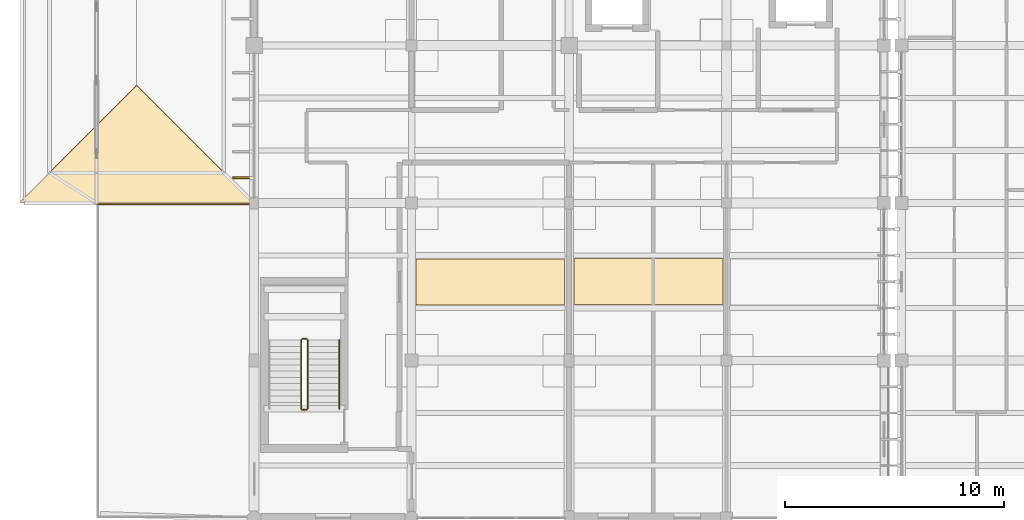
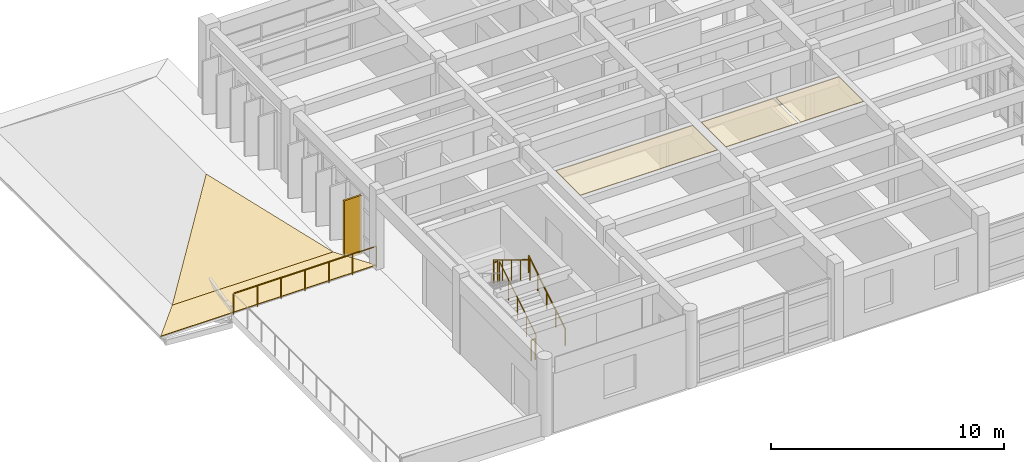
# One storey, part 92 of 100: 6 railings, 5 coverings, 1 shading device.
"""IFC4 building model written with IfcOpenShell, lengths in metres."""

from ifc_helpers import new_model, si_unit, direction, frame, origin, origin_2d, place, context, subcontext, project, spatial, polyline, rectangle, circle, outline, extrude, material, layer, layer_set, material_profile, profile_set, type_object, element, save


model = new_model("IFC4")

# Units and contexts
model_context = context("Model", 3, precision=1e-05, world=origin(), true_north=direction((0.0, 1.0)))
body_context = subcontext(model_context, "Body", "Model", "MODEL_VIEW")
ifc_project = project(units=[si_unit("LENGTHUNIT", "METRE"), si_unit("AREAUNIT", "SQUARE_METRE"), si_unit("VOLUMEUNIT", "CUBIC_METRE"), si_unit("PLANEANGLEUNIT", "RADIAN"), si_unit("MASSUNIT", "GRAM", prefix="KILO")], contexts=[model_context])

# Site, building, storey
site_placement = place(None, origin())
site = spatial("IfcSite", under=ifc_project, at=site_placement, CompositionType="ELEMENT")
building_placement = place(site_placement, origin())
building = spatial("IfcBuilding", under=site, at=building_placement, Name="Steenspoor Specialist Clinic", CompositionType="ELEMENT")
storey_placement = place(building_placement, frame((0.0, 0.0, 9.0)))
storey = spatial("IfcBuildingStorey", under=building, at=storey_placement, Name="L02", CompositionType="ELEMENT", Elevation=9.0)

# Coverings
ifc_material_1 = material(Name="Washable acoustic mineral ceiling board", Category="gypsum")
ifc_layer_1 = layer(ifc_material_1, 0.02490234375)
ifc_layer_set_1 = layer_set([ifc_layer_1], Name="Washable acoustic mineral ceiling board")
covering_type_1 = type_object("IfcCoveringType", Name="COV-CEIL-ACOUSTIC", PredefinedType="CEILING", material=ifc_layer_set_1)
covering_1_placement = place(storey_placement, frame((0.0, 0.0, 3.925048828125)))
element("IfcCovering", 1, at=covering_1_placement, inside=storey, type_object=covering_type_1, Name="Acoustic Clinical Ceiling 145", PredefinedType="CEILING", context=body_context, shape_type="SweptSolid", body=[
    extrude(outline(polyline([(30.195068359375, 74.889892578125), (30.195068359375, 77.0), (36.97998046875, 77.0), (36.97998046875, 74.889892578125), (30.195068359375, 74.889892578125)])), origin(), (0.0, 0.0, 1.0), 0.02490234375),
])
covering_2_placement = place(storey_placement, frame((0.0, 0.0, 3.925048828125)))
element("IfcCovering", 2, at=covering_2_placement, inside=storey, type_object=covering_type_1, Name="Acoustic Clinical Ceiling 146", PredefinedType="CEILING", context=body_context, shape_type="SweptSolid", body=[
    extrude(outline(polyline([(40.985107421875, 74.89990234375), (37.419921875, 74.89990234375), (37.419921875, 77.010009765625), (40.985107421875, 77.010009765625), (40.985107421875, 74.89990234375)])), origin(), (0.0, 0.0, 1.0), 0.02490234375),
])
covering_3_placement = place(storey_placement, frame((0.0, 0.0, 3.925048828125)))
element("IfcCovering", 3, at=covering_3_placement, inside=storey, type_object=covering_type_1, Name="Acoustic Clinical Ceiling 147", PredefinedType="CEILING", context=body_context, shape_type="SweptSolid", body=[
    extrude(outline(polyline([(41.114990234375, 77.010009765625), (44.22998046875, 77.010009765625), (44.22998046875, 74.89990234375), (41.114990234375, 74.89990234375), (41.114990234375, 77.010009765625)])), origin(), (0.0, 0.0, 1.0), 0.02490234375),
])
ifc_material_2 = material(Name="Extruded terracotta clay roof tile", Category="masonry")
ifc_layer_2 = layer(ifc_material_2, 0.044921875)
ifc_layer_set_2 = layer_set([ifc_layer_2], Name="Extruded terracotta clay roof tile")
covering_type_2 = type_object("IfcCoveringType", Name="COV-ROOF-TILE", PredefinedType="ROOFING", material=ifc_layer_set_2)
covering_4_placement = place(storey_placement, frame((12.10009765625, 79.580078125, 0.048095703125), z_axis=(0.0, -0.241833577284, 0.970317742236), x_axis=(1.0, 0.0, 0.0)))
element("IfcCovering", 4, at=covering_4_placement, inside=storey, type_object=covering_type_2, Name="Clay Tile Roofing V5T1 SKS", PredefinedType="ROOFING", context=body_context, shape_type="SweptSolid", body=[
    extrude(outline(polyline([(0.0, 0.0), (10.669921875, 0.0), (9.31982421875, 1.3911458658008673), (1.349853515625, 1.3911458658008673), (0.0, 0.0)])), origin(), (0.0, 0.0, -1.0), 0.044921875),
])
covering_5_placement = place(storey_placement, frame((13.449951171875, 80.929931640625, 0.384521484375), z_axis=(0.0, -0.609461920138, 0.792815342877), x_axis=(1.0, 0.0, 0.0)))
element("IfcCovering", 5, at=covering_5_placement, inside=storey, type_object=covering_type_2, Name="Clay Tile Roofing V5T1 S", PredefinedType="ROOFING", context=body_context, shape_type="SweptSolid", body=[
    extrude(outline(polyline([(0.0, 0.0), (7.969970703125, 0.0), (3.985107421875, 5.02652661515584), (0.0, 0.0)])), origin(), (0.0, 0.0, -1.0), 0.044921875),
])

# Railings
ifc_material_3 = material(Name="Galvanised architectural steel exterior guard", Category="steel")
railing_type_1 = type_object("IfcRailingType", Name="RAIL-EGUARD-1100", PredefinedType="GUARDRAIL", material=ifc_material_3)
railing_1_placement = place(storey_placement, frame((22.739990234375, 79.489990234375, 0.0)))
element("IfcRailing", 6, at=railing_1_placement, inside=storey, type_object=railing_type_1, Name="Terrace Perimeter Guard 17", PredefinedType="GUARDRAIL", context=body_context, shape_type="SweptSolid", body=[
    extrude(circle(Radius=0.02392578125, at=origin_2d()), frame((0.0, 0.0, 1.09619140625), z_axis=(-1.0, 0.0, 0.0), x_axis=(0.0, -1.0, 0.0)), (0.0, 0.0, 1.0), 7.080078125),
    extrude(circle(Radius=0.02099609375, at=origin_2d()), origin(), (0.0, 0.0, 1.0), 1.072021484375),
    extrude(circle(Radius=0.02099609375, at=origin_2d()), frame((-1.179931640625, 0.0, 0.0)), (0.0, 0.0, 1.0), 1.072021484375),
    extrude(circle(Radius=0.02099609375, at=origin_2d()), frame((-2.360107421875, 0.0, 0.0)), (0.0, 0.0, 1.0), 1.072021484375),
    extrude(circle(Radius=0.02099609375, at=origin_2d()), frame((-3.5400390625, 0.0, 0.0)), (0.0, 0.0, 1.0), 1.072021484375),
    extrude(circle(Radius=0.02099609375, at=origin_2d()), frame((-4.719970703125, 0.0, 0.0)), (0.0, 0.0, 1.0), 1.072021484375),
    extrude(circle(Radius=0.02099609375, at=origin_2d()), frame((-5.900146484375, 0.0, 0.0)), (0.0, 0.0, 1.0), 1.072021484375),
    extrude(circle(Radius=0.02099609375, at=origin_2d()), frame((-7.080078125, 0.0, 0.0)), (0.0, 0.0, 1.0), 1.072021484375),
])
ifc_material_4 = material(Name="Painted architectural steel balustrade", Category="steel")
railing_type_2 = type_object("IfcRailingType", Name="RAIL-GUARD-1100", PredefinedType="GUARDRAIL", material=ifc_material_4)
railing_2_placement = place(storey_placement, frame((25.25, 70.14990234375, 0.175048828125)))
element("IfcRailing", 7, at=railing_2_placement, inside=storey, type_object=railing_type_2, Name="L02 ST-V5B stair guard 1", PredefinedType="GUARDRAIL", context=body_context, shape_type="SweptSolid", body=[
    extrude(circle(Radius=0.02392578125, at=origin_2d()), frame((0.0, 0.0, 1.076171875), z_axis=(0.0, 0.852166034122, 0.523271488128), x_axis=(-1.0, 0.0, 0.0)), (0.0, 0.0, 1.0), 3.678955078125),
    extrude(circle(Radius=0.02099609375, at=origin_2d()), origin(), (0.0, 0.0, 1.0), 1.052001953125),
    extrude(circle(Radius=0.02099609375, at=origin_2d()), frame((0.0, 0.78369140625, 0.481201171875)), (0.0, 0.0, 1.0), 1.052001953125),
    extrude(circle(Radius=0.02099609375, at=origin_2d()), frame((0.0, 1.5673828125, 0.96240234375)), (0.0, 0.0, 1.0), 1.052001953125),
    extrude(circle(Radius=0.02099609375, at=origin_2d()), frame((0.0, 2.351318359375, 1.44384765625)), (0.0, 0.0, 1.0), 1.052001953125),
    extrude(circle(Radius=0.02099609375, at=origin_2d()), frame((0.0, 3.135009765625, 1.925048828125)), (0.0, 0.0, 1.0), 1.052001953125),
])
railing_3_placement = place(storey_placement, frame((25.199951171875, 73.3349609375, 2.10009765625)))
element("IfcRailing", 8, at=railing_3_placement, inside=storey, type_object=railing_type_2, Name="L02 ST-V5B stair guard 2", PredefinedType="GUARDRAIL", context=body_context, shape_type="SweptSolid", body=[
    extrude(circle(Radius=0.02392578125, at=origin_2d()), frame((0.0, 0.0, 1.076171875), z_axis=(-1.0, 0.0, 0.0), x_axis=(0.0, -1.0, 0.0)), (0.0, 0.0, 1.0), 0.199951171875),
    extrude(circle(Radius=0.02099609375, at=origin_2d()), origin(), (0.0, 0.0, 1.0), 1.052001953125),
    extrude(circle(Radius=0.02099609375, at=origin_2d()), frame((-0.199951171875, 0.0, 0.0)), (0.0, 0.0, 1.0), 1.052001953125),
])
railing_4_placement = place(storey_placement, frame((24.949951171875, 73.284912109375, 2.27490234375)))
element("IfcRailing", 9, at=railing_4_placement, inside=storey, type_object=railing_type_2, Name="L02 ST-V5B stair guard 3", PredefinedType="GUARDRAIL", context=body_context, shape_type="SweptSolid", body=[
    extrude(circle(Radius=0.02392578125, at=origin_2d()), frame((0.0, 0.0, 1.076171875), z_axis=(0.0, -0.852166034122, 0.523271488128), x_axis=(1.0, 0.0, 0.0)), (0.0, 0.0, 1.0), 3.678955078125),
    extrude(circle(Radius=0.02099609375, at=origin_2d()), origin(), (0.0, 0.0, 1.0), 1.052001953125),
    extrude(circle(Radius=0.02099609375, at=origin_2d()), frame((0.0, -0.78369140625, 0.481201171875)), (0.0, 0.0, 1.0), 1.052001953125),
    extrude(circle(Radius=0.02099609375, at=origin_2d()), frame((0.0, -1.5673828125, 0.96240234375)), (0.0, 0.0, 1.0), 1.052001953125),
    extrude(circle(Radius=0.02099609375, at=origin_2d()), frame((0.0, -2.351318359375, 1.44384765625)), (0.0, 0.0, 1.0), 1.052001953125),
    extrude(circle(Radius=0.02099609375, at=origin_2d()), frame((0.0, -3.135009765625, 1.925048828125)), (0.0, 0.0, 1.0), 1.052001953125),
])
railing_5_placement = place(storey_placement, frame((25.199951171875, 70.10009765625, 0.0)))
element("IfcRailing", 10, at=railing_5_placement, inside=storey, type_object=railing_type_2, Name="L02 ST-V5B stair guard 4", PredefinedType="GUARDRAIL", context=body_context, shape_type="SweptSolid", body=[
    extrude(circle(Radius=0.02392578125, at=origin_2d()), frame((0.0, 0.0, 1.076171875), z_axis=(-1.0, 0.0, 0.0), x_axis=(0.0, -1.0, 0.0)), (0.0, 0.0, 1.0), 0.199951171875),
    extrude(circle(Radius=0.02099609375, at=origin_2d()), origin(), (0.0, 0.0, 1.0), 1.052001953125),
    extrude(circle(Radius=0.02099609375, at=origin_2d()), frame((-0.199951171875, 0.0, 0.0)), (0.0, 0.0, 1.0), 1.052001953125),
])
ifc_material_5 = material(Name="Brushed stainless steel clinical handrail", Category="steel")
railing_type_3 = type_object("IfcRailingType", Name="RAIL-HAND-900", PredefinedType="HANDRAIL", material=ifc_material_5)
railing_6_placement = place(storey_placement, frame((26.699951171875, 70.14990234375, 0.175048828125)))
element("IfcRailing", 11, at=railing_6_placement, inside=storey, type_object=railing_type_3, Name="L02 ST-V5B stair handrail 1", PredefinedType="HANDRAIL", context=body_context, shape_type="SweptSolid", body=[
    extrude(circle(Radius=0.02392578125, at=origin_2d()), frame((0.0, 0.0, 0.8759765625), z_axis=(0.0, 0.852166034122, 0.523271488128), x_axis=(-1.0, 0.0, 0.0)), (0.0, 0.0, 1.0), 3.678955078125),
    extrude(circle(Radius=0.02099609375, at=origin_2d()), origin(), (0.0, 0.0, 1.0), 0.851806640625),
    extrude(circle(Radius=0.02099609375, at=origin_2d()), frame((0.0, 0.78369140625, 0.481201171875)), (0.0, 0.0, 1.0), 0.851806640625),
    extrude(circle(Radius=0.02099609375, at=origin_2d()), frame((0.0, 1.5673828125, 0.96240234375)), (0.0, 0.0, 1.0), 0.851806640625),
    extrude(circle(Radius=0.02099609375, at=origin_2d()), frame((0.0, 2.351318359375, 1.44384765625)), (0.0, 0.0, 1.0), 0.851806640625),
    extrude(circle(Radius=0.02099609375, at=origin_2d()), frame((0.0, 3.135009765625, 1.925048828125)), (0.0, 0.0, 1.0), 0.851806640625),
])

# Shading device
ifc_material_6 = material(Name="Glulam GL28h", Category="wood")
ifc_material_profile = material_profile(ifc_material_6, rectangle(XDim=0.090087890625, YDim=0.85009765625, at=origin_2d()), Name="GL28H-90X850")
ifc_profile_set = profile_set([ifc_material_profile], Name="Glulam GL28h")
shading_device_type = type_object("IfcShadingDeviceType", Name="SHADE-FIN-850", PredefinedType="JALOUSIE", material=ifc_profile_set)
shading_device_placement = place(storey_placement, frame((22.2451171875, 80.699951171875, 0.0), z_axis=(0.0, 0.0, 1.0), x_axis=(0.0, 1.0, 0.0)))
element("IfcShadingDevice", 12, at=shading_device_placement, inside=storey, type_object=shading_device_type, Name="Glulam Sun Fin FIN-V5-L02-0140", PredefinedType="JALOUSIE", context=body_context, shape_type="SweptSolid", body=[
    extrude(rectangle(XDim=0.090087890625, YDim=0.85009765625, at=origin_2d()), origin(), (0.0, 0.0, 1.0), 3.080078125),
])

save(model, "model.ifc")
